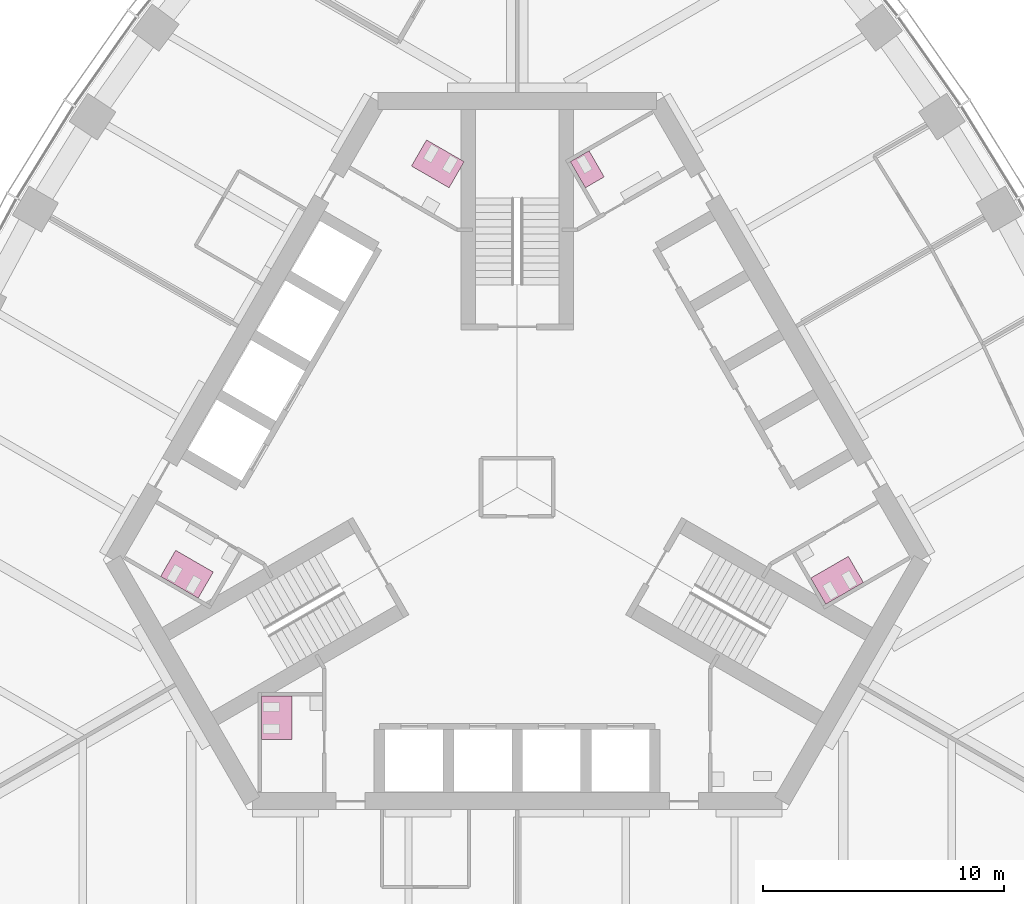
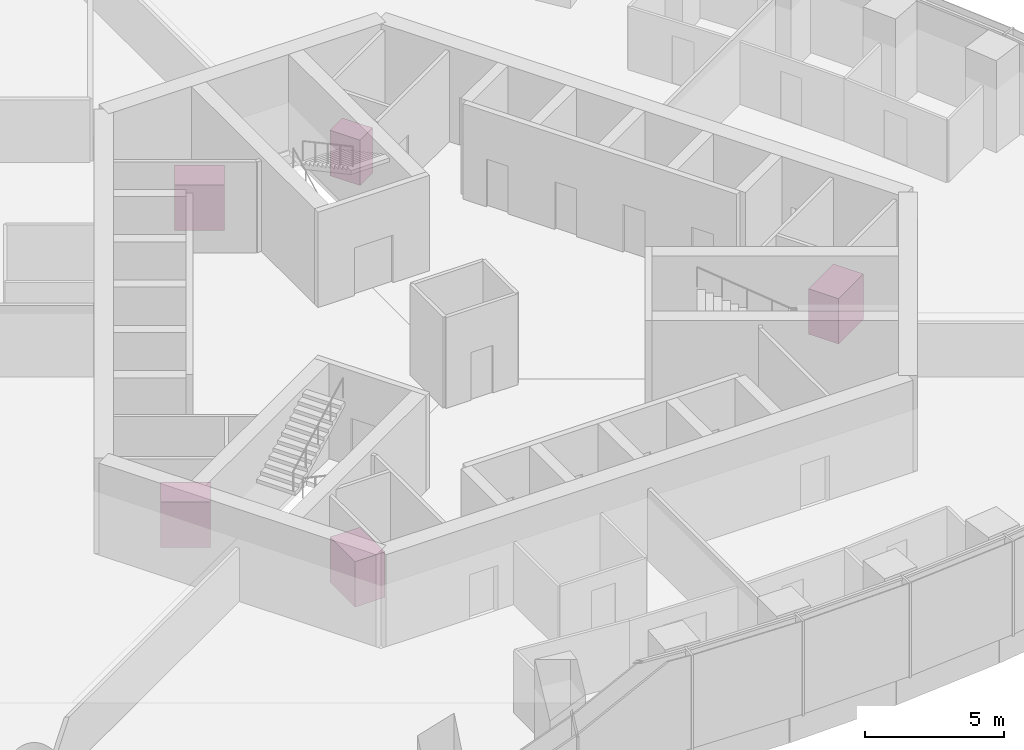
# One storey, part 15 of 15: 5 furniture elements.
"""IFC4 building model written with IfcOpenShell, lengths in metres."""

from ifc_helpers import new_model, si_unit, direction, frame, origin, place, context, subcontext, project, spatial, polyline, outline, extrude, material, type_object, element, save


model = new_model("IFC4")

# Units and contexts
model_context = context("Model", 3, precision=1e-05, world=origin(), true_north=direction((0.0, 1.0)))
body_context = subcontext(model_context, "Body", "Model", "MODEL_VIEW")
ifc_project = project(units=[si_unit("LENGTHUNIT", "METRE"), si_unit("AREAUNIT", "SQUARE_METRE"), si_unit("VOLUMEUNIT", "CUBIC_METRE"), si_unit("PLANEANGLEUNIT", "RADIAN"), si_unit("MASSUNIT", "GRAM", prefix="KILO")], contexts=[model_context])

# Site, building, storey
site_placement = place(None, origin())
site = spatial("IfcSite", under=ifc_project, at=site_placement, CompositionType="ELEMENT")
building_placement = place(site_placement, origin())
building = spatial("IfcBuilding", under=site, at=building_placement, Name="Trefoil Bronze Tower", CompositionType="ELEMENT")
storey_placement = place(building_placement, frame((0.0, 0.0, 288.89990234375)))
storey = spatial("IfcBuildingStorey", under=building, at=storey_placement, Name="L66", CompositionType="ELEMENT", Elevation=288.89990234375)

# Furniture
ifc_material_1 = material(Name="Compact laminate cubicles", Category="plastic")
furniture_type_1 = type_object("IfcFurnitureType", Name="WC cubicle range 1 cubicles", AssemblyPlace="FACTORY", PredefinedType="USERDEFINED", material=ifc_material_1)
furniture_1_placement = place(storey_placement, origin())
element("IfcFurniture", 1, at=furniture_1_placement, inside=storey, type_object=furniture_type_1, Name="WC cubicle range WC (men) L66", ObjectType="WC cubicle range", PredefinedType="USERDEFINED", context=body_context, shape_type="SweptSolid", body=[
    extrude(outline(polyline([(2.82373046875, 12.409423828125), (2.19873046875, 13.491943359375), (2.97802734375, 13.94189453125), (3.60302734375, 12.859375), (2.82373046875, 12.409423828125)])), origin(), (0.0, 0.0, 1.0), 2.0),
])
ifc_material_2 = material(Name="Compact laminate cubicles", Category="plastic")
furniture_type_2 = type_object("IfcFurnitureType", Name="WC cubicle range 2 cubicles", AssemblyPlace="FACTORY", PredefinedType="USERDEFINED", material=ifc_material_2)
furniture_2_placement = place(storey_placement, origin())
element("IfcFurniture", 2, at=furniture_2_placement, inside=storey, type_object=furniture_type_2, Name="WC cubicle range WC (women) L66", ObjectType="WC cubicle range", PredefinedType="USERDEFINED", context=body_context, shape_type="SweptSolid", body=[
    extrude(outline(polyline([(12.15869140625, -3.75927734375), (12.78369140625, -4.841796875), (14.342529296875, -3.94189453125), (13.717529296875, -2.859375), (12.15869140625, -3.75927734375)])), origin(), (0.0, 0.0, 1.0), 2.0),
])
furniture_3_placement = place(storey_placement, origin())
element("IfcFurniture", 3, at=furniture_3_placement, inside=storey, type_object=furniture_type_2, Name="WC cubicle range WC (women) L66", ObjectType="WC cubicle range", PredefinedType="USERDEFINED", context=body_context, shape_type="SweptSolid", body=[
    extrude(outline(polyline([(-2.82373046875, 12.409423828125), (-2.19873046875, 13.491943359375), (-3.757568359375, 14.391845703125), (-4.382568359375, 13.309326171875), (-2.82373046875, 12.409423828125)])), origin(), (0.0, 0.0, 1.0), 2.0),
])
furniture_4_placement = place(storey_placement, origin())
element("IfcFurniture", 4, at=furniture_4_placement, inside=storey, type_object=furniture_type_2, Name="WC cubicle range WC (men) L66", ObjectType="WC cubicle range", PredefinedType="USERDEFINED", context=body_context, shape_type="SweptSolid", body=[
    extrude(outline(polyline([(-12.591552734375, -3.50927734375), (-13.216552734375, -4.591796875), (-14.775390625, -3.69189453125), (-14.150390625, -2.609375), (-12.591552734375, -3.50927734375)])), origin(), (0.0, 0.0, 1.0), 2.0),
])
furniture_5_placement = place(storey_placement, origin())
element("IfcFurniture", 5, at=furniture_5_placement, inside=storey, type_object=furniture_type_2, Name="WC cubicle range WC (women) L66", ObjectType="WC cubicle range", PredefinedType="USERDEFINED", context=body_context, shape_type="SweptSolid", body=[
    extrude(outline(polyline([(-9.3349609375, -8.64990234375), (-10.5849609375, -8.64990234375), (-10.5849609375, -10.449951171875), (-9.3349609375, -10.449951171875), (-9.3349609375, -8.64990234375)])), origin(), (0.0, 0.0, 1.0), 2.0),
])

save(model, "model.ifc")
